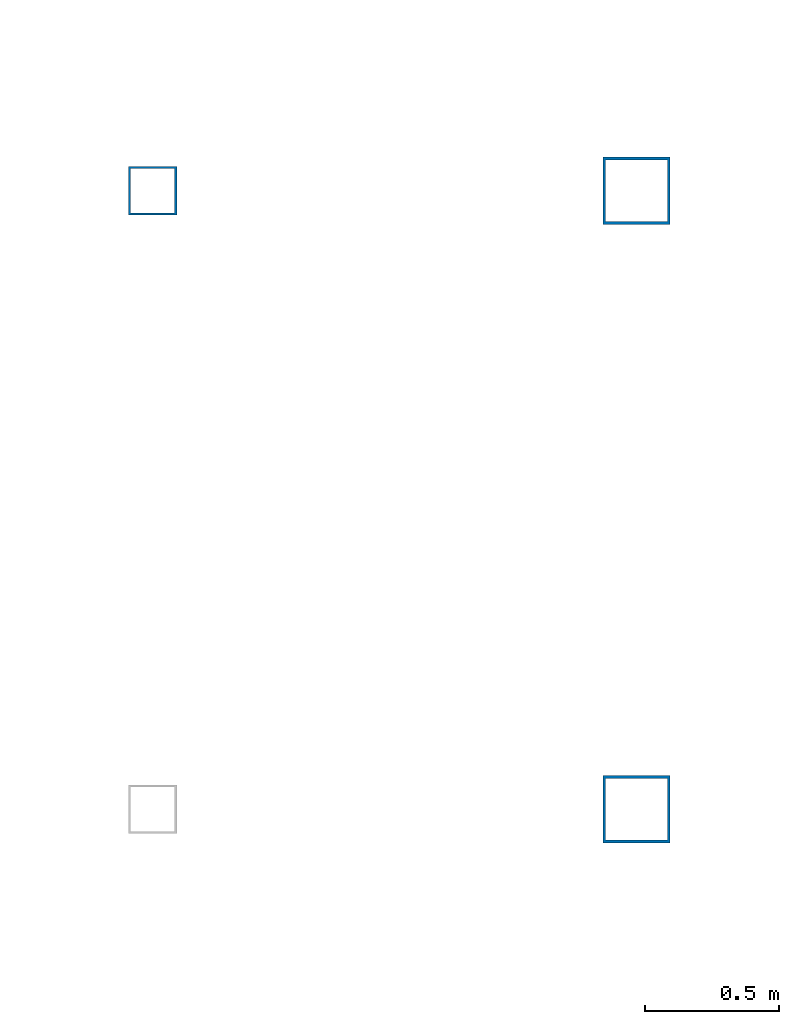
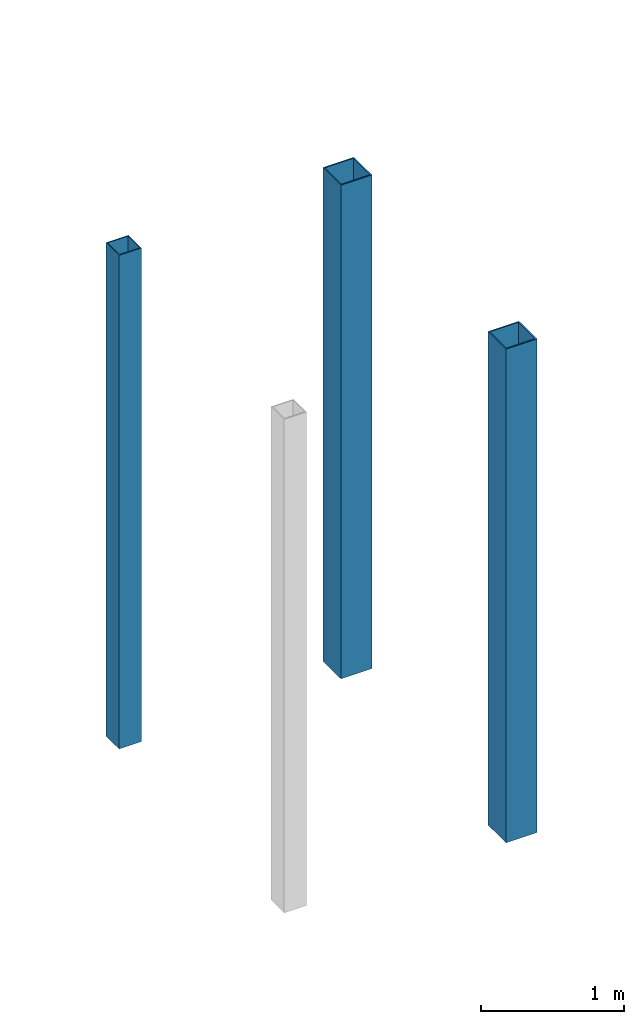
# One storey, part 15 of 90: 3 columns.
"""IFC4 building model written with IfcOpenShell, lengths in metres."""

from ifc_helpers import new_model, si_unit, direction, frame, origin, origin_2d, place, context, subcontext, project, spatial, hollow_rectangle, extrude, material, material_profile, profile_set, type_object, element, save


model = new_model("IFC4")

# Units and contexts
model_context = context("Model", 3, precision=1e-05, world=origin(), true_north=direction((0.0, 1.0)))
body_context = subcontext(model_context, "Body", "Model", "MODEL_VIEW")
ifc_project = project(units=[si_unit("LENGTHUNIT", "METRE"), si_unit("AREAUNIT", "SQUARE_METRE"), si_unit("VOLUMEUNIT", "CUBIC_METRE"), si_unit("PLANEANGLEUNIT", "RADIAN"), si_unit("MASSUNIT", "GRAM", prefix="KILO")], contexts=[model_context])

# Site, building, storey
site_placement = place(None, origin())
site = spatial("IfcSite", under=ifc_project, at=site_placement, CompositionType="ELEMENT")
building_placement = place(site_placement, origin())
building = spatial("IfcBuilding", under=site, at=building_placement, Name="Malvenik Polytechnic", CompositionType="ELEMENT")
storey_placement = place(building_placement, frame((0.0, 0.0, 9.300048828125)))
storey = spatial("IfcBuildingStorey", under=building, at=storey_placement, Name="L02", CompositionType="ELEMENT", Elevation=9.300048828125)

# Columns
ifc_material = material(Name="Steel S355J2H", Category="steel")
ifc_material_profile_1 = material_profile(ifc_material, hollow_rectangle(XDim=0.25, YDim=0.25, WallThickness=0.010009765625, at=origin_2d()), Name="SHS 250x250x10.0")
ifc_profile_set_1 = profile_set([ifc_material_profile_1], Name="Steel S355J2H")
column_type_1 = type_object("IfcColumnType", Name="STR-SCOL-SC-01", PredefinedType="COLUMN", material=ifc_profile_set_1)
for number, where, z_axis, x_axis, name in (
    (1, (59.199951171875, 103.14990234375, 0.0), (0.0, 0.0, 1.0), (1.0, 0.0, 0.0), "Bridge-Ramp Support Column SC-01 L02"),
    (2, (59.199951171875, 105.449951171875, 0.0), (0.0, 0.0, 1.0), (1.0, 0.0, 0.0), "Bridge-Ramp Support Column SC-01 L02"),
):
    element("IfcColumn", number, at=place(storey_placement, frame(where, z_axis=z_axis, x_axis=x_axis)), inside=storey, type_object=column_type_1, Name=name, PredefinedType="COLUMN", context=body_context, shape_type="SweptSolid", body=[
        extrude(hollow_rectangle(XDim=0.25, YDim=0.25, WallThickness=0.010009765625, at=origin_2d()), origin(), (0.0, 0.0, 1.0), 4.199951171875),
    ])
ifc_material_profile_2 = material_profile(ifc_material, hollow_rectangle(XDim=0.179931640625, YDim=0.179931640625, WallThickness=0.008056640625, at=origin_2d()), Name="SHS 180x180x8.0")
ifc_profile_set_2 = profile_set([ifc_material_profile_2], Name="Steel S355J2H")
column_type_2 = type_object("IfcColumnType", Name="STR-SCOL-SC-06", PredefinedType="COLUMN", material=ifc_profile_set_2)
column_placement = place(storey_placement, frame((57.39990234375, 105.449951171875, 0.0), z_axis=(0.0, 0.0, 1.0), x_axis=(1.0, 0.0, 0.0)))
element("IfcColumn", 3, at=column_placement, inside=storey, type_object=column_type_2, Name="Bridge-Ramp Support Column SC-06 L02", PredefinedType="COLUMN", context=body_context, shape_type="SweptSolid", body=[
    extrude(hollow_rectangle(XDim=0.179931640625, YDim=0.179931640625, WallThickness=0.008056640625, at=origin_2d()), origin(), (0.0, 0.0, 1.0), 4.199951171875),
])

save(model, "model.ifc")
